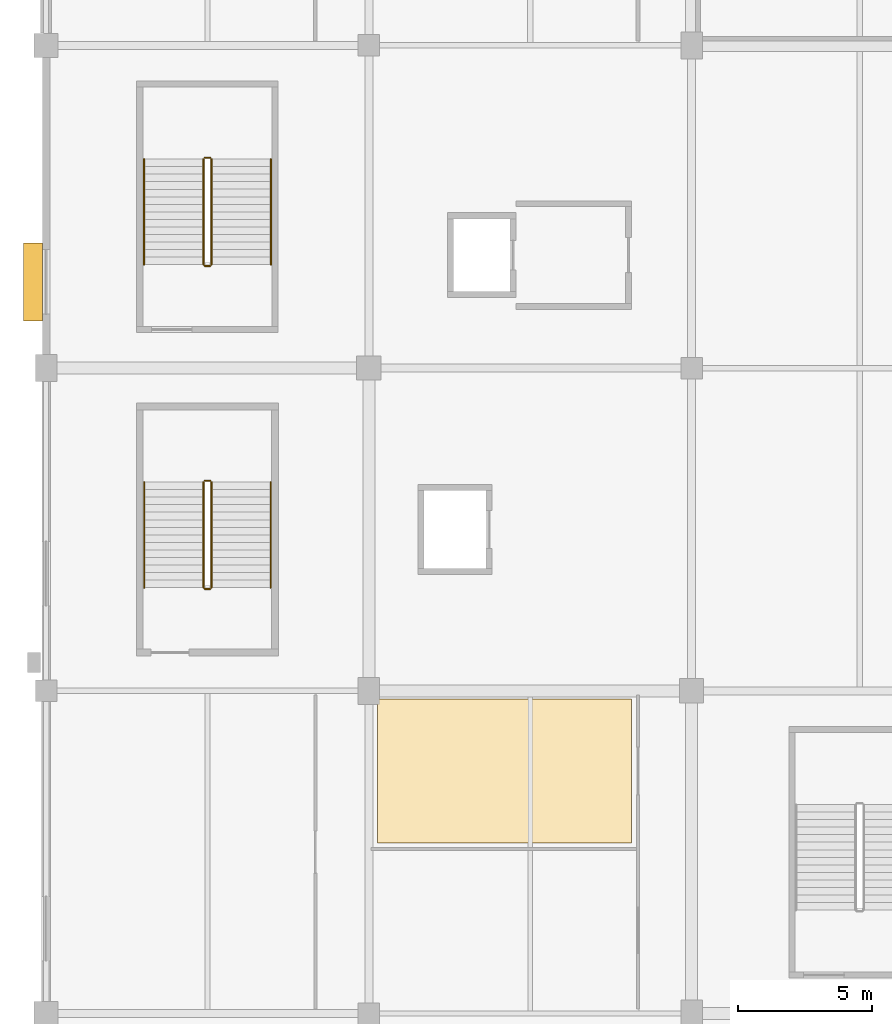
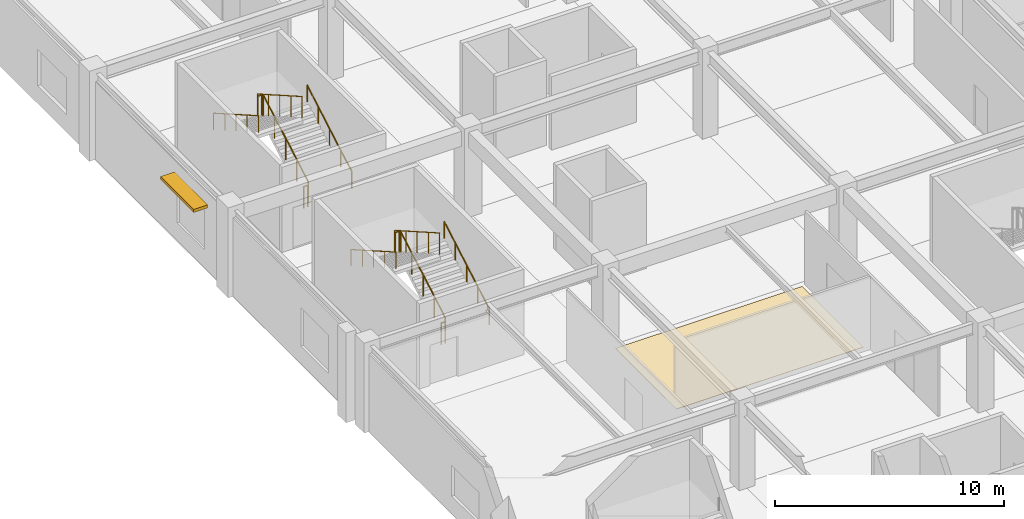
# One storey, part 123 of 134: 12 railings, 1 covering, 1 shading device.
"""IFC4 building model written with IfcOpenShell, lengths in metres."""

from ifc_helpers import new_model, si_unit, direction, frame, origin, origin_2d, place, context, subcontext, project, spatial, polyline, rectangle, circle, outline, extrude, material, layer, layer_set, type_object, element, save


model = new_model("IFC4")

# Units and contexts
model_context = context("Model", 3, precision=1e-05, world=origin(), true_north=direction((0.0, 1.0)))
body_context = subcontext(model_context, "Body", "Model", "MODEL_VIEW")
ifc_project = project(units=[si_unit("LENGTHUNIT", "METRE"), si_unit("AREAUNIT", "SQUARE_METRE"), si_unit("VOLUMEUNIT", "CUBIC_METRE"), si_unit("PLANEANGLEUNIT", "RADIAN"), si_unit("MASSUNIT", "GRAM", prefix="KILO")], contexts=[model_context])

# Site, building, storey
site_placement = place(None, origin())
site = spatial("IfcSite", under=ifc_project, at=site_placement, CompositionType="ELEMENT")
building_placement = place(site_placement, origin())
building = spatial("IfcBuilding", under=site, at=building_placement, Name="Kazenohara Klinker Stadium", CompositionType="ELEMENT")
storey_placement = place(building_placement, frame((0.0, 0.0, 5.39990234375)))
storey = spatial("IfcBuildingStorey", under=building, at=storey_placement, Name="L01", CompositionType="ELEMENT", Elevation=5.39990234375)

# Covering
ifc_material_1 = material(Name="Slip-resistant honed basalt terrazzo flooring", Category="masonry")
ifc_layer_1 = layer(ifc_material_1, 0.02001953125)
ifc_layer_set_1 = layer_set([ifc_layer_1], Name="Slip-resistant honed basalt terrazzo flooring")
covering_type = type_object("IfcCoveringType", Name="COV-FLR-01", PredefinedType="FLOORING", material=ifc_layer_set_1)
covering_placement = place(storey_placement, origin())
element("IfcCovering", 1, at=covering_placement, inside=storey, type_object=covering_type, Name="Interior floor finish FL01 Community Martial Arts Fitness Studio L01-0110B", PredefinedType="FLOORING", context=body_context, shape_type="SweptSolid", body=[
    extrude(outline(polyline([(12.330078125, 126.3466796875), (21.77001953125, 126.3466796875), (21.77001953125, 131.68994140625), (12.330078125, 131.68994140625), (12.330078125, 126.3466796875)])), origin(), (0.0, 0.0, 1.0), 0.02001953125),
])

# Railings
ifc_material_2 = material(Name="Brushed stainless steel 304 handrail", Category="steel")
ifc_layer_2 = layer(ifc_material_2, 0.050048828125)
ifc_layer_set_2 = layer_set([ifc_layer_2], Name="Brushed stainless steel 304 handrail")
railing_type_1 = type_object("IfcRailingType", Name="RL-HND-900", PredefinedType="HANDRAIL", material=ifc_layer_set_2)
railing_1_placement = place(storey_placement, frame((8.35009765625, 135.840087890625, 0.16015625)))
element("IfcRailing", 2, at=railing_1_placement, inside=storey, type_object=railing_type_1, Name="L01 ST05 stair handrail 1", PredefinedType="HANDRAIL", context=body_context, shape_type="SweptSolid", body=[
    extrude(circle(Radius=0.02392578125, at=origin_2d()), frame((0.0, 0.0, 0.8759765625), z_axis=(0.0, 0.868239814368, 0.496144761885), x_axis=(-1.0, 0.0, 0.0)), (0.0, 0.0, 1.0), 4.514892578125),
    extrude(circle(Radius=0.02099609375, at=origin_2d()), origin(), (0.0, 0.0, 1.0), 0.851806640625),
    extrude(circle(Radius=0.02099609375, at=origin_2d()), frame((0.0, 0.97998046875, 0.56005859375)), (0.0, 0.0, 1.0), 0.851806640625),
    extrude(circle(Radius=0.02099609375, at=origin_2d()), frame((0.0, 1.9599609375, 1.1201171875)), (0.0, 0.0, 1.0), 0.851806640625),
    extrude(circle(Radius=0.02099609375, at=origin_2d()), frame((0.0, 2.93994140625, 1.679931640625)), (0.0, 0.0, 1.0), 0.851806640625),
    extrude(circle(Radius=0.02099609375, at=origin_2d()), frame((0.0, 3.919921875, 2.239990234375)), (0.0, 0.0, 1.0), 0.851806640625),
])
railing_2_placement = place(storey_placement, frame((3.64990234375, 139.760009765625, 2.56005859375)))
element("IfcRailing", 3, at=railing_2_placement, inside=storey, type_object=railing_type_1, Name="L01 ST05 stair handrail 2", PredefinedType="HANDRAIL", context=body_context, shape_type="SweptSolid", body=[
    extrude(circle(Radius=0.02392578125, at=origin_2d()), frame((0.0, 0.0, 0.8759765625), z_axis=(0.0, -0.868239814368, 0.496144761885), x_axis=(1.0, 0.0, 0.0)), (0.0, 0.0, 1.0), 4.514892578125),
    extrude(circle(Radius=0.02099609375, at=origin_2d()), origin(), (0.0, 0.0, 1.0), 0.851806640625),
    extrude(circle(Radius=0.02099609375, at=origin_2d()), frame((0.0, -0.97998046875, 0.56005859375)), (0.0, 0.0, 1.0), 0.851806640625),
    extrude(circle(Radius=0.02099609375, at=origin_2d()), frame((0.0, -1.9599609375, 1.1201171875)), (0.0, 0.0, 1.0), 0.851806640625),
    extrude(circle(Radius=0.02099609375, at=origin_2d()), frame((0.0, -2.93994140625, 1.679931640625)), (0.0, 0.0, 1.0), 0.851806640625),
    extrude(circle(Radius=0.02099609375, at=origin_2d()), frame((0.0, -3.919921875, 2.239990234375)), (0.0, 0.0, 1.0), 0.851806640625),
])
railing_3_placement = place(storey_placement, frame((8.360107421875, 147.85009765625, 0.16015625)))
element("IfcRailing", 4, at=railing_3_placement, inside=storey, type_object=railing_type_1, Name="L01 ST06 stair handrail 1", PredefinedType="HANDRAIL", context=body_context, shape_type="SweptSolid", body=[
    extrude(circle(Radius=0.02392578125, at=origin_2d()), frame((0.0, 0.0, 0.8759765625), z_axis=(0.0, 0.868239814368, 0.496144761885), x_axis=(-1.0, 0.0, 0.0)), (0.0, 0.0, 1.0), 4.514892578125),
    extrude(circle(Radius=0.02099609375, at=origin_2d()), origin(), (0.0, 0.0, 1.0), 0.851806640625),
    extrude(circle(Radius=0.02099609375, at=origin_2d()), frame((0.0, 0.97998046875, 0.56005859375)), (0.0, 0.0, 1.0), 0.851806640625),
    extrude(circle(Radius=0.02099609375, at=origin_2d()), frame((0.0, 1.9599609375, 1.1201171875)), (0.0, 0.0, 1.0), 0.851806640625),
    extrude(circle(Radius=0.02099609375, at=origin_2d()), frame((0.0, 2.93994140625, 1.679931640625)), (0.0, 0.0, 1.0), 0.851806640625),
    extrude(circle(Radius=0.02099609375, at=origin_2d()), frame((0.0, 3.919921875, 2.239990234375)), (0.0, 0.0, 1.0), 0.851806640625),
])
railing_4_placement = place(storey_placement, frame((3.639892578125, 151.77001953125, 2.56005859375)))
element("IfcRailing", 5, at=railing_4_placement, inside=storey, type_object=railing_type_1, Name="L01 ST06 stair handrail 2", PredefinedType="HANDRAIL", context=body_context, shape_type="SweptSolid", body=[
    extrude(circle(Radius=0.02392578125, at=origin_2d()), frame((0.0, 0.0, 0.8759765625), z_axis=(0.0, -0.868239814368, 0.496144761885), x_axis=(1.0, 0.0, 0.0)), (0.0, 0.0, 1.0), 4.514892578125),
    extrude(circle(Radius=0.02099609375, at=origin_2d()), origin(), (0.0, 0.0, 1.0), 0.851806640625),
    extrude(circle(Radius=0.02099609375, at=origin_2d()), frame((0.0, -0.97998046875, 0.56005859375)), (0.0, 0.0, 1.0), 0.851806640625),
    extrude(circle(Radius=0.02099609375, at=origin_2d()), frame((0.0, -1.9599609375, 1.1201171875)), (0.0, 0.0, 1.0), 0.851806640625),
    extrude(circle(Radius=0.02099609375, at=origin_2d()), frame((0.0, -2.93994140625, 1.679931640625)), (0.0, 0.0, 1.0), 0.851806640625),
    extrude(circle(Radius=0.02099609375, at=origin_2d()), frame((0.0, -3.919921875, 2.239990234375)), (0.0, 0.0, 1.0), 0.851806640625),
])
ifc_material_3 = material(Name="Painted steel stairwell guardrail", Category="steel")
ifc_layer_3 = layer(ifc_material_3, 0.06005859375)
ifc_layer_set_3 = layer_set([ifc_layer_3], Name="Painted steel stairwell guardrail")
railing_type_2 = type_object("IfcRailingType", Name="RL-STG-1120", PredefinedType="GUARDRAIL", material=ifc_layer_set_3)
railing_5_placement = place(storey_placement, frame((6.14990234375, 135.840087890625, 0.16015625)))
element("IfcRailing", 6, at=railing_5_placement, inside=storey, type_object=railing_type_2, Name="L01 ST05 stair guard 1", PredefinedType="GUARDRAIL", context=body_context, shape_type="SweptSolid", body=[
    extrude(circle(Radius=0.02392578125, at=origin_2d()), frame((0.0, 0.0, 1.1259765625), z_axis=(0.0, 0.868239814368, 0.496144761885), x_axis=(-1.0, 0.0, 0.0)), (0.0, 0.0, 1.0), 4.514892578125),
    extrude(circle(Radius=0.02099609375, at=origin_2d()), origin(), (0.0, 0.0, 1.0), 1.101806640625),
    extrude(circle(Radius=0.02099609375, at=origin_2d()), frame((0.0, 0.97998046875, 0.56005859375)), (0.0, 0.0, 1.0), 1.101806640625),
    extrude(circle(Radius=0.02099609375, at=origin_2d()), frame((0.0, 1.9599609375, 1.1201171875)), (0.0, 0.0, 1.0), 1.101806640625),
    extrude(circle(Radius=0.02099609375, at=origin_2d()), frame((0.0, 2.93994140625, 1.679931640625)), (0.0, 0.0, 1.0), 1.101806640625),
    extrude(circle(Radius=0.02099609375, at=origin_2d()), frame((0.0, 3.919921875, 2.239990234375)), (0.0, 0.0, 1.0), 1.101806640625),
])
railing_6_placement = place(storey_placement, frame((6.10009765625, 139.81005859375, 2.400146484375)))
element("IfcRailing", 7, at=railing_6_placement, inside=storey, type_object=railing_type_2, Name="L01 ST05 stair guard 2", PredefinedType="GUARDRAIL", context=body_context, shape_type="SweptSolid", body=[
    extrude(circle(Radius=0.02392578125, at=origin_2d()), frame((0.0, 0.0, 1.1259765625), z_axis=(-1.0, 0.0, 0.0), x_axis=(0.0, -1.0, 0.0)), (0.0, 0.0, 1.0), 0.2001953125),
    extrude(circle(Radius=0.02099609375, at=origin_2d()), origin(), (0.0, 0.0, 1.0), 1.101806640625),
    extrude(circle(Radius=0.02099609375, at=origin_2d()), frame((-0.2001953125, 0.0, 0.0)), (0.0, 0.0, 1.0), 1.101806640625),
])
railing_7_placement = place(storey_placement, frame((5.85009765625, 139.760009765625, 2.56005859375)))
element("IfcRailing", 8, at=railing_7_placement, inside=storey, type_object=railing_type_2, Name="L01 ST05 stair guard 3", PredefinedType="GUARDRAIL", context=body_context, shape_type="SweptSolid", body=[
    extrude(circle(Radius=0.02392578125, at=origin_2d()), frame((0.0, 0.0, 1.1259765625), z_axis=(0.0, -0.868239814368, 0.496144761885), x_axis=(1.0, 0.0, 0.0)), (0.0, 0.0, 1.0), 4.514892578125),
    extrude(circle(Radius=0.02099609375, at=origin_2d()), origin(), (0.0, 0.0, 1.0), 1.101806640625),
    extrude(circle(Radius=0.02099609375, at=origin_2d()), frame((0.0, -0.97998046875, 0.56005859375)), (0.0, 0.0, 1.0), 1.101806640625),
    extrude(circle(Radius=0.02099609375, at=origin_2d()), frame((0.0, -1.9599609375, 1.1201171875)), (0.0, 0.0, 1.0), 1.101806640625),
    extrude(circle(Radius=0.02099609375, at=origin_2d()), frame((0.0, -2.93994140625, 1.679931640625)), (0.0, 0.0, 1.0), 1.101806640625),
    extrude(circle(Radius=0.02099609375, at=origin_2d()), frame((0.0, -3.919921875, 2.239990234375)), (0.0, 0.0, 1.0), 1.101806640625),
])
railing_8_placement = place(storey_placement, frame((6.10009765625, 135.7900390625, 0.0)))
element("IfcRailing", 9, at=railing_8_placement, inside=storey, type_object=railing_type_2, Name="L01 ST05 stair guard 4", PredefinedType="GUARDRAIL", context=body_context, shape_type="SweptSolid", body=[
    extrude(circle(Radius=0.02392578125, at=origin_2d()), frame((0.0, 0.0, 1.1259765625), z_axis=(-1.0, 0.0, 0.0), x_axis=(0.0, -1.0, 0.0)), (0.0, 0.0, 1.0), 0.2001953125),
    extrude(circle(Radius=0.02099609375, at=origin_2d()), origin(), (0.0, 0.0, 1.0), 1.101806640625),
    extrude(circle(Radius=0.02099609375, at=origin_2d()), frame((-0.2001953125, 0.0, 0.0)), (0.0, 0.0, 1.0), 1.101806640625),
])
railing_9_placement = place(storey_placement, frame((6.14990234375, 147.85009765625, 0.16015625)))
element("IfcRailing", 10, at=railing_9_placement, inside=storey, type_object=railing_type_2, Name="L01 ST06 stair guard 1", PredefinedType="GUARDRAIL", context=body_context, shape_type="SweptSolid", body=[
    extrude(circle(Radius=0.02392578125, at=origin_2d()), frame((0.0, 0.0, 1.1259765625), z_axis=(0.0, 0.868239814368, 0.496144761885), x_axis=(-1.0, 0.0, 0.0)), (0.0, 0.0, 1.0), 4.514892578125),
    extrude(circle(Radius=0.02099609375, at=origin_2d()), origin(), (0.0, 0.0, 1.0), 1.101806640625),
    extrude(circle(Radius=0.02099609375, at=origin_2d()), frame((0.0, 0.97998046875, 0.56005859375)), (0.0, 0.0, 1.0), 1.101806640625),
    extrude(circle(Radius=0.02099609375, at=origin_2d()), frame((0.0, 1.9599609375, 1.1201171875)), (0.0, 0.0, 1.0), 1.101806640625),
    extrude(circle(Radius=0.02099609375, at=origin_2d()), frame((0.0, 2.93994140625, 1.679931640625)), (0.0, 0.0, 1.0), 1.101806640625),
    extrude(circle(Radius=0.02099609375, at=origin_2d()), frame((0.0, 3.919921875, 2.239990234375)), (0.0, 0.0, 1.0), 1.101806640625),
])
railing_10_placement = place(storey_placement, frame((6.10009765625, 151.820068359375, 2.400146484375)))
element("IfcRailing", 11, at=railing_10_placement, inside=storey, type_object=railing_type_2, Name="L01 ST06 stair guard 2", PredefinedType="GUARDRAIL", context=body_context, shape_type="SweptSolid", body=[
    extrude(circle(Radius=0.02392578125, at=origin_2d()), frame((0.0, 0.0, 1.1259765625), z_axis=(-1.0, 0.0, 0.0), x_axis=(0.0, -1.0, 0.0)), (0.0, 0.0, 1.0), 0.2001953125),
    extrude(circle(Radius=0.02099609375, at=origin_2d()), origin(), (0.0, 0.0, 1.0), 1.101806640625),
    extrude(circle(Radius=0.02099609375, at=origin_2d()), frame((-0.2001953125, 0.0, 0.0)), (0.0, 0.0, 1.0), 1.101806640625),
])
railing_11_placement = place(storey_placement, frame((5.85009765625, 151.77001953125, 2.56005859375)))
element("IfcRailing", 12, at=railing_11_placement, inside=storey, type_object=railing_type_2, Name="L01 ST06 stair guard 3", PredefinedType="GUARDRAIL", context=body_context, shape_type="SweptSolid", body=[
    extrude(circle(Radius=0.02392578125, at=origin_2d()), frame((0.0, 0.0, 1.1259765625), z_axis=(0.0, -0.868239814368, 0.496144761885), x_axis=(1.0, 0.0, 0.0)), (0.0, 0.0, 1.0), 4.514892578125),
    extrude(circle(Radius=0.02099609375, at=origin_2d()), origin(), (0.0, 0.0, 1.0), 1.101806640625),
    extrude(circle(Radius=0.02099609375, at=origin_2d()), frame((0.0, -0.97998046875, 0.56005859375)), (0.0, 0.0, 1.0), 1.101806640625),
    extrude(circle(Radius=0.02099609375, at=origin_2d()), frame((0.0, -1.9599609375, 1.1201171875)), (0.0, 0.0, 1.0), 1.101806640625),
    extrude(circle(Radius=0.02099609375, at=origin_2d()), frame((0.0, -2.93994140625, 1.679931640625)), (0.0, 0.0, 1.0), 1.101806640625),
    extrude(circle(Radius=0.02099609375, at=origin_2d()), frame((0.0, -3.919921875, 2.239990234375)), (0.0, 0.0, 1.0), 1.101806640625),
])
railing_12_placement = place(storey_placement, frame((6.10009765625, 147.800048828125, 0.0)))
element("IfcRailing", 13, at=railing_12_placement, inside=storey, type_object=railing_type_2, Name="L01 ST06 stair guard 4", PredefinedType="GUARDRAIL", context=body_context, shape_type="SweptSolid", body=[
    extrude(circle(Radius=0.02392578125, at=origin_2d()), frame((0.0, 0.0, 1.1259765625), z_axis=(-1.0, 0.0, 0.0), x_axis=(0.0, -1.0, 0.0)), (0.0, 0.0, 1.0), 0.2001953125),
    extrude(circle(Radius=0.02099609375, at=origin_2d()), origin(), (0.0, 0.0, 1.0), 1.101806640625),
    extrude(circle(Radius=0.02099609375, at=origin_2d()), frame((-0.2001953125, 0.0, 0.0)), (0.0, 0.0, 1.0), 1.101806640625),
])

# Shading device
ifc_material_4 = material(Name="Bronze-anodised aluminium snow-hood sunshade", Category="aluminium")
shading_device_type = type_object("IfcShadingDeviceType", Name="SHD-SUN-01", PredefinedType="AWNING", material=ifc_material_4)
shading_device_placement = place(storey_placement, frame((-0.485107421875, 147.2041015625, 3.35009765625), z_axis=(0.0, 0.0, 1.0), x_axis=(0.0, 1.0, 0.0)))
element("IfcShadingDevice", 14, at=shading_device_placement, inside=storey, type_object=shading_device_type, Name="Bronze snow-hood sunshade SS01-03", PredefinedType="AWNING", context=body_context, shape_type="SweptSolid", body=[
    extrude(rectangle(XDim=2.89990234375, YDim=0.699951171875, at=origin_2d()), origin(), (0.0, 0.0, 1.0), 0.159912109375),
])

save(model, "model.ifc")
